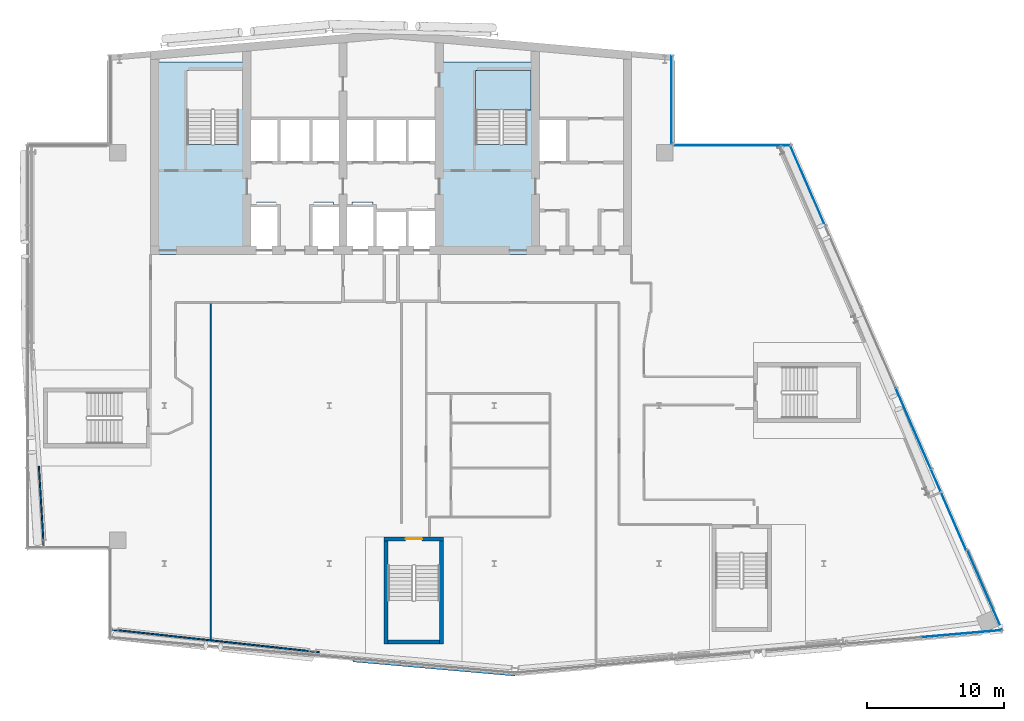
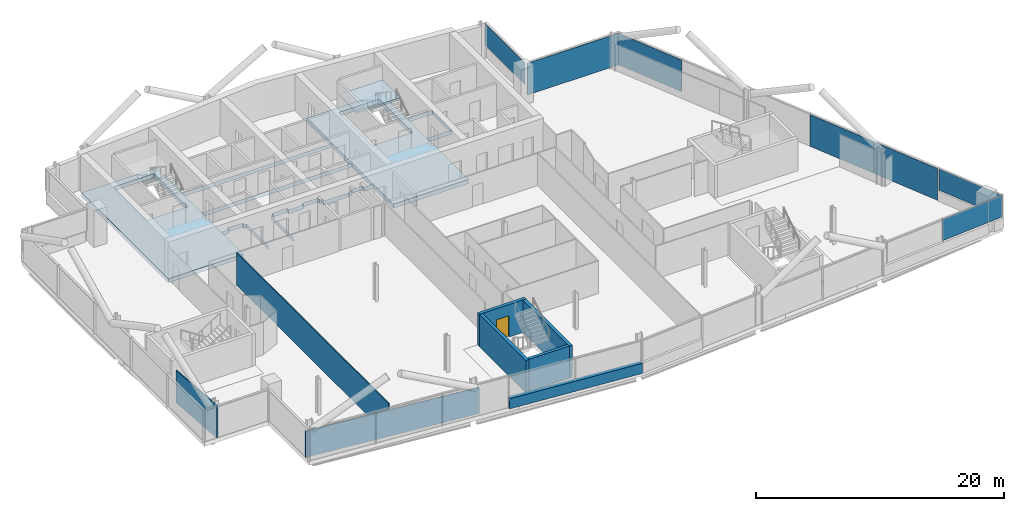
# One storey, part 14 of 25: 8 walls, 7 plates, 2 slabs, 1 door, 1 opening, 5 elements without a shape of their own.
"""IFC4 building model written with IfcOpenShell, lengths in metres."""

from ifc_helpers import new_model, si_unit, direction, frame, frame_2d, origin, origin_2d, place, context, subcontext, project, spatial, polyline, rectangle, outline, extrude, material, layer, layer_set, type_object, element, fill, aggregate, save


model = new_model("IFC4")

# Units and contexts
model_context = context("Model", 3, precision=1e-05, world=origin(), true_north=direction((0.0, 1.0)))
body_context = subcontext(model_context, "Body", "Model", "MODEL_VIEW")
ifc_project = project(units=[si_unit("LENGTHUNIT", "METRE"), si_unit("AREAUNIT", "SQUARE_METRE"), si_unit("VOLUMEUNIT", "CUBIC_METRE"), si_unit("PLANEANGLEUNIT", "RADIAN"), si_unit("MASSUNIT", "GRAM", prefix="KILO")], contexts=[model_context])

# Site, building, storey
site_placement = place(None, origin())
site = spatial("IfcSite", under=ifc_project, at=site_placement, CompositionType="ELEMENT")
building_placement = place(site_placement, origin())
building = spatial("IfcBuilding", under=site, at=building_placement, Name="Wharfspan Tower", CompositionType="ELEMENT")
storey_placement = place(building_placement, frame((0.0, 0.0, 232.300049)))
storey = spatial("IfcBuildingStorey", under=building, at=storey_placement, Name="L58", CompositionType="ELEMENT", Elevation=232.300049)

# Curtain wall, plate
ifc_material_1 = material(Name="Aluminium 6063-T6", Category="aluminium")
curtain_wall_type_1 = type_object("IfcCurtainWallType", Name="CURTAIN WALL FACETED FRONT", PredefinedType="NOTDEFINED", material=ifc_material_1)
curtain_wall_1_placement = place(storey_placement, origin())
curtain_wall_1 = element("IfcCurtainWall", 1, at=curtain_wall_1_placement, inside=storey, type_object=curtain_wall_type_1, Name="Curtain wall S2", PredefinedType="NOTDEFINED")
ifc_material_2 = material(Name="Glass clear low-iron double glazing", Category="glass")
ifc_layer_1 = layer(ifc_material_2, 0.040039)
ifc_layer_set_1 = layer_set([ifc_layer_1], Name="Glass clear low-iron double glazing")
plate_type_1 = type_object("IfcPlateType", Name="GLASS PANEL FACETED FRONT 40", PredefinedType="CURTAIN_PANEL", material=ifc_layer_set_1)
plate_1_placement = place(storey_placement, frame((82.021484, 6.399658, 1.0), z_axis=(0.0, 0.0, 1.0), x_axis=(0.996197, 0.087156, 0.0)))
plate_1 = element("IfcPlate", 2, at=plate_1_placement, type_object=plate_type_1, Name="Curtain wall S2 panel 6", PredefinedType="CURTAIN_PANEL", context=body_context, shape_type="SweptSolid", body=[
    extrude(rectangle(XDim=5.849365, YDim=0.040039, at=origin_2d()), origin(), (0.0, 0.0, 1.0), 2.120117),
])
aggregate(curtain_wall_1, [plate_1])

curtain_wall_type_2 = type_object("IfcCurtainWallType", Name="CURTAIN WALL PROW AND END", PredefinedType="NOTDEFINED", material=ifc_material_1)
curtain_wall_2_placement = place(storey_placement, origin())
curtain_wall_2 = element("IfcCurtainWall", 3, at=curtain_wall_2_placement, inside=storey, type_object=curtain_wall_type_2, Name="Curtain wall E", PredefinedType="NOTDEFINED")
ifc_layer_2 = layer(ifc_material_2, 0.040039)
ifc_layer_set_2 = layer_set([ifc_layer_2], Name="Glass clear low-iron double glazing")
plate_type_2 = type_object("IfcPlateType", Name="GLASS PANEL PROW AND END 40", PredefinedType="CURTAIN_PANEL", material=ifc_layer_set_2)
plate_2_placement = place(storey_placement, frame((83.711426, 9.563721, 1.0), z_axis=(0.0, 0.0, 1.0), x_axis=(-0.398727, 0.917072, 0.0)))
plate_2 = element("IfcPlate", 4, at=plate_2_placement, type_object=plate_type_2, Name="Curtain wall E panel 1", PredefinedType="CURTAIN_PANEL", context=body_context, shape_type="SweptSolid", body=[
    extrude(rectangle(XDim=6.343506, YDim=0.040039, at=origin_2d()), origin(), (0.0, 0.0, 1.0), 2.120117),
])

curtain_wall_3_placement = place(storey_placement, origin())
curtain_wall_3 = element("IfcCurtainWall", 5, at=curtain_wall_3_placement, inside=storey, type_object=curtain_wall_type_2, Name="Curtain wall NRE-V", PredefinedType="NOTDEFINED")
plate_3_placement = place(storey_placement, frame((60.919922, 45.262451, 1.0), z_axis=(0.0, 0.0, 1.0), x_axis=(0.0, 1.0, 0.0)))
plate_3 = element("IfcPlate", 6, at=plate_3_placement, type_object=plate_type_2, Name="Curtain wall NRE-V panel 1", PredefinedType="CURTAIN_PANEL", context=body_context, shape_type="SweptSolid", body=[
    extrude(rectangle(XDim=6.405029, YDim=0.040039, at=origin_2d()), origin(), (0.0, 0.0, 1.0), 2.120117),
])
aggregate(curtain_wall_3, [plate_3])

# Plate
ifc_material_3 = material(Name="Aluminium composite opaque insulated panel", Category="aluminium")
ifc_layer_3 = layer(ifc_material_3, 0.040039)
ifc_layer_set_3 = layer_set([ifc_layer_3], Name="Aluminium composite opaque insulated panel")
plate_type_3 = type_object("IfcPlateType", Name="INFILL PANEL PROW AND END OPAQUE 40", PredefinedType="SHEET", material=ifc_layer_set_3)
plate_4_placement = place(storey_placement, frame((81.078857, 15.418213, 0.0), z_axis=(0.0, 0.0, 1.0), x_axis=(-0.398727, 0.917072, 0.0)))
plate_4 = element("IfcPlate", 7, at=plate_4_placement, type_object=plate_type_3, Name="Curtain wall E panel 2", PredefinedType="SHEET", context=body_context, shape_type="SweptSolid", body=[
    extrude(rectangle(XDim=6.373535, YDim=0.040039, at=origin_2d()), origin(), (0.0, 0.0, 1.0), 3.120117),
])

plate_5_placement = place(storey_placement, frame((78.513672, 21.318115, 0.0), z_axis=(0.0, 0.0, 1.0), x_axis=(-0.398727, 0.917072, 0.0)))
plate_5 = element("IfcPlate", 8, at=plate_5_placement, type_object=plate_type_3, Name="Curtain wall E panel 3", PredefinedType="SHEET", context=body_context, shape_type="SweptSolid", body=[
    extrude(rectangle(XDim=6.373535, YDim=0.040039, at=origin_2d()), origin(), (0.0, 0.0, 1.0), 3.120117),
])

plate_6_placement = place(storey_placement, frame((70.823975, 39.004395, 0.0), z_axis=(0.0, 0.0, 1.0), x_axis=(-0.398727, 0.917072, 0.0)))
plate_6 = element("IfcPlate", 9, at=plate_6_placement, type_object=plate_type_3, Name="Curtain wall E panel 6", PredefinedType="SHEET", context=body_context, shape_type="SweptSolid", body=[
    extrude(rectangle(XDim=6.343506, YDim=0.040039, at=origin_2d()), origin(), (0.0, 0.0, 1.0), 3.120117),
])

aggregate(curtain_wall_2, [plate_2, plate_4, plate_5, plate_6])

# Curtain wall, plate
curtain_wall_4_placement = place(storey_placement, origin())
curtain_wall_4 = element("IfcCurtainWall", 10, at=curtain_wall_4_placement, inside=storey, type_object=curtain_wall_type_2, Name="Curtain wall NRE-H", PredefinedType="NOTDEFINED")
plate_7_placement = place(storey_placement, frame((65.304443, 41.919922, 0.0), z_axis=(0.0, 0.0, 1.0), x_axis=(-1.0, 0.0, 0.0)))
plate_7 = element("IfcPlate", 11, at=plate_7_placement, type_object=plate_type_3, Name="Curtain wall NRE-H panel 1", PredefinedType="SHEET", context=body_context, shape_type="SweptSolid", body=[
    extrude(rectangle(XDim=8.48877, YDim=0.040039, at=origin_2d()), origin(), (0.0, 0.0, 1.0), 3.120117),
])
aggregate(curtain_wall_4, [plate_7])

# Slab
ifc_material_4 = material(Name="Concrete C40/50", Category="concrete")
ifc_layer_4 = layer(ifc_material_4, 0.399902)
ifc_layer_set_4 = layer_set([ifc_layer_4], Name="Concrete C40/50")
slab_type_1 = type_object("IfcSlabType", Name="Post-tensioned flat slab 400", PredefinedType="FLOOR", material=ifc_layer_set_4)
slab_1_placement = place(storey_placement, frame((0.0, 0.0, -0.400146)))
element("IfcSlab", 12, at=slab_1_placement, inside=storey, type_object=slab_type_1, Name="Core floor slab L58 part 2", PredefinedType="FLOOR", context=body_context, shape_type="SweptSolid", body=[
    extrude(outline(polyline([(23.0, 34.0), (29.998047, 34.0), (29.998047, 37.550049), (29.998047, 37.550293), (29.998047, 37.550293), (29.998047, 37.550537), (29.998291, 37.550781), (29.998291, 37.550781), (29.998291, 37.551025), (29.998535, 37.55127), (29.998535, 37.551514), (29.998779, 37.551514), (29.998779, 37.551758), (29.999023, 37.551758), (29.999268, 37.551758), (29.999512, 37.552002), (29.999512, 37.552002), (29.999756, 37.552002), (30.0, 37.552002), (30.7146, 37.552002), (30.7146, 37.800049), (30.7146, 37.800293), (30.7146, 37.800293), (30.714844, 37.800537), (30.714844, 37.800781), (30.714844, 37.800781), (30.715088, 37.801025), (30.715088, 37.80127), (30.715332, 37.801514), (30.715332, 37.801514), (30.715576, 37.801758), (30.71582, 37.801758), (30.71582, 37.801758), (30.716064, 37.802002), (30.716309, 37.802002), (30.716553, 37.802002), (30.716797, 37.802002), (32.116699, 37.802002), (32.116943, 37.802002), (32.117188, 37.802002), (32.117188, 37.802002), (32.117432, 37.801758), (32.117676, 37.801758), (32.11792, 37.801758), (32.11792, 37.801514), (32.118164, 37.801514), (32.118164, 37.80127), (32.118408, 37.801025), (32.118408, 37.800781), (32.118408, 37.800781), (32.118652, 37.800537), (32.118652, 37.800293), (32.118652, 37.800293), (32.118652, 37.800049), (32.118652, 37.552002), (32.333252, 37.552002), (32.333496, 37.552002), (32.33374, 37.552002), (32.333984, 37.552002), (32.333984, 37.551758), (32.334229, 37.551758), (32.334473, 37.551758), (32.334717, 37.551514), (32.334717, 37.551514), (32.334961, 37.55127), (32.334961, 37.551025), (32.335205, 37.550781), (32.335205, 37.550781), (32.335205, 37.550537), (32.335205, 37.550293), (32.335205, 37.550293), (32.335205, 37.550049), (32.335205, 34.0), (32.341309, 34.0), (32.341309, 37.558105), (32.126709, 37.558105), (32.126465, 37.558105), (32.126221, 37.558105), (32.126221, 37.558105), (32.125977, 37.558105), (32.125732, 37.558105), (32.125488, 37.55835), (32.125488, 37.558594), (32.125244, 37.558594), (32.125244, 37.558594), (32.125, 37.558838), (32.125, 37.559082), (32.125, 37.559082), (32.124756, 37.559326), (32.124756, 37.55957), (32.124756, 37.559814), (32.124756, 37.560059), (32.124756, 37.808105), (30.70874, 37.808105), (30.70874, 37.560059), (30.70874, 37.559814), (30.70874, 37.55957), (30.708496, 37.559326), (30.708496, 37.559082), (30.708496, 37.559082), (30.708496, 37.558838), (30.708252, 37.558594), (30.708008, 37.558594), (30.708008, 37.558594), (30.707764, 37.55835), (30.70752, 37.558105), (30.70752, 37.558105), (30.707275, 37.558105), (30.707031, 37.558105), (30.706787, 37.558105), (30.706787, 37.558105), (30.01001, 37.558105), (30.009766, 37.558105), (30.009521, 37.558105), (30.009521, 37.558105), (30.009277, 37.558105), (30.009033, 37.558105), (30.008789, 37.55835), (30.008789, 37.558594), (30.008545, 37.558594), (30.008545, 37.558594), (30.008301, 37.558838), (30.008301, 37.559082), (30.008301, 37.559082), (30.008057, 37.559326), (30.008057, 37.55957), (30.008057, 37.559814), (30.008057, 37.560059), (30.008057, 40.689941), (30.008057, 40.690186), (30.008057, 40.69043), (30.008057, 40.690674), (30.008301, 40.690918), (30.008301, 40.690918), (30.008301, 40.691162), (30.008545, 40.691406), (30.008545, 40.691406), (30.008789, 40.691406), (30.008789, 40.69165), (30.009033, 40.691895), (30.009277, 40.691895), (30.009521, 40.691895), (30.009521, 40.691895), (30.009766, 40.691895), (30.01001, 40.691895), (43.98999, 40.691895), (43.990234, 40.691895), (43.990479, 40.691895), (43.990479, 40.691895), (43.990723, 40.691895), (43.990967, 40.691895), (43.991211, 40.69165), (43.991211, 40.691406), (43.991455, 40.691406), (43.991455, 40.691406), (43.991699, 40.691162), (43.991699, 40.690918), (43.991699, 40.690918), (43.991943, 40.690674), (43.991943, 40.69043), (43.991943, 40.690186), (43.991943, 40.689941), (43.991943, 37.26001), (43.991943, 37.259766), (43.991943, 37.259521), (43.991943, 37.259521), (43.991699, 37.259277), (43.991699, 37.259033), (43.991699, 37.258789), (43.991455, 37.258789), (43.991455, 37.258545), (43.991211, 37.258545), (43.991211, 37.258301), (43.990967, 37.258301), (43.990723, 37.258301), (43.990479, 37.258057), (43.990479, 37.258057), (43.990234, 37.258057), (43.98999, 37.258057), (43.143311, 37.258057), (43.143066, 37.258057), (43.142822, 37.258057), (43.142578, 37.258057), (43.142578, 37.258301), (43.142334, 37.258301), (43.14209, 37.258301), (43.14209, 37.258545), (43.141846, 37.258545), (43.141846, 37.258789), (43.141602, 37.258789), (43.141602, 37.259033), (43.141602, 37.259277), (43.141357, 37.259521), (43.141357, 37.259521), (43.141357, 37.259766), (43.141357, 37.26001), (43.141357, 37.508057), (42.025391, 37.508057), (42.025391, 37.26001), (42.025391, 37.259766), (42.025391, 37.259521), (42.025146, 37.259521), (42.025146, 37.259277), (42.025146, 37.259033), (42.024902, 37.258789), (42.024902, 37.258789), (42.024658, 37.258545), (42.024658, 37.258545), (42.024414, 37.258301), (42.02417, 37.258301), (42.02417, 37.258301), (42.023926, 37.258057), (42.023682, 37.258057), (42.023438, 37.258057), (42.023193, 37.258057), (41.658691, 37.258057), (41.658691, 37.209961), (41.658691, 37.209717), (41.658691, 37.209717), (41.658691, 37.209473), (41.658447, 37.209229), (41.658447, 37.208984), (41.658447, 37.208984), (41.658203, 37.20874), (41.658203, 37.208496), (41.657959, 37.208496), (41.657715, 37.208252), (41.657715, 37.208252), (41.657471, 37.208252), (41.657227, 37.208008), (41.656982, 37.208008), (41.656982, 37.208008), (41.656738, 37.208008), (39.343262, 37.208008), (39.343018, 37.208008), (39.343018, 37.208008), (39.342773, 37.208008), (39.342529, 37.208252), (39.342285, 37.208252), (39.342285, 37.208252), (39.342041, 37.208496), (39.341797, 37.208496), (39.341797, 37.20874), (39.341553, 37.208984), (39.341553, 37.208984), (39.341553, 37.209229), (39.341309, 37.209473), (39.341309, 37.209717), (39.341309, 37.209717), (39.341309, 37.209961), (39.341309, 37.558105), (39.166748, 37.558105), (39.166504, 37.558105), (39.16626, 37.558105), (39.166016, 37.558105), (39.166016, 37.558105), (39.165771, 37.558105), (39.165527, 37.55835), (39.165283, 37.558594), (39.165283, 37.558594), (39.165283, 37.558594), (39.165039, 37.558838), (39.164795, 37.559082), (39.164795, 37.559082), (39.164795, 37.559326), (39.164795, 37.55957), (39.164795, 37.559814), (39.164795, 37.560059), (39.164795, 37.808105), (37.668701, 37.808105), (37.668701, 37.560059), (37.668701, 37.559814), (37.668701, 37.55957), (37.668701, 37.559326), (37.668457, 37.559082), (37.668457, 37.559082), (37.668457, 37.558838), (37.668213, 37.558594), (37.668213, 37.558594), (37.667969, 37.558594), (37.667725, 37.55835), (37.66748, 37.558105), (37.66748, 37.558105), (37.667236, 37.558105), (37.666992, 37.558105), (37.666992, 37.558105), (37.666748, 37.558105), (36.293213, 37.558105), (36.293213, 37.558105), (36.292969, 37.558105), (36.292725, 37.558105), (36.29248, 37.558105), (36.29248, 37.558105), (36.292236, 37.55835), (36.291992, 37.558594), (36.291992, 37.558594), (36.291748, 37.558594), (36.291504, 37.558838), (36.291504, 37.559082), (36.291504, 37.559082), (36.291504, 37.559326), (36.29126, 37.55957), (36.29126, 37.559814), (36.29126, 37.560059), (36.29126, 37.808105), (34.875244, 37.808105), (34.875244, 37.560059), (34.875244, 37.559814), (34.875244, 37.55957), (34.875244, 37.559326), (34.875, 37.559082), (34.875, 37.559082), (34.875, 37.558838), (34.874756, 37.558594), (34.874756, 37.558594), (34.874512, 37.558594), (34.874512, 37.55835), (34.874268, 37.558105), (34.874023, 37.558105), (34.873779, 37.558105), (34.873779, 37.558105), (34.873535, 37.558105), (34.873291, 37.558105), (34.658691, 37.558105), (34.658691, 34.0), (34.664795, 34.0), (34.664795, 37.550049), (34.664795, 37.550293), (34.664795, 37.550293), (34.664795, 37.550537), (34.664795, 37.550781), (34.664795, 37.550781), (34.665039, 37.551025), (34.665039, 37.55127), (34.665283, 37.551514), (34.665283, 37.551514), (34.665527, 37.551758), (34.665771, 37.551758), (34.666016, 37.551758), (34.666016, 37.552002), (34.66626, 37.552002), (34.666504, 37.552002), (34.666748, 37.552002), (34.881348, 37.552002), (34.881348, 37.800049), (34.881348, 37.800293), (34.881348, 37.800293), (34.881348, 37.800537), (34.881592, 37.800781), (34.881592, 37.800781), (34.881592, 37.801025), (34.881836, 37.80127), (34.881836, 37.801514), (34.88208, 37.801514), (34.88208, 37.801758), (34.882324, 37.801758), (34.882568, 37.801758), (34.882812, 37.802002), (34.882812, 37.802002), (34.883057, 37.802002), (34.883301, 37.802002), (36.283203, 37.802002), (36.283447, 37.802002), (36.283691, 37.802002), (36.283936, 37.802002), (36.28418, 37.801758), (36.28418, 37.801758), (36.284424, 37.801758), (36.284668, 37.801514), (36.284668, 37.801514), (36.284912, 37.80127), (36.284912, 37.801025), (36.285156, 37.800781), (36.285156, 37.800781), (36.285156, 37.800537), (36.2854, 37.800293), (36.2854, 37.800293), (36.2854, 37.800049), (36.2854, 37.552002), (37.674805, 37.552002), (37.674805, 37.800049), (37.674805, 37.800293), (37.674805, 37.800293), (37.674805, 37.800537), (37.674805, 37.800781), (37.674805, 37.800781), (37.675049, 37.801025), (37.675049, 37.80127), (37.675293, 37.801514), (37.675293, 37.801514), (37.675537, 37.801758), (37.675781, 37.801758), (37.675781, 37.801758), (37.676025, 37.802002), (37.67627, 37.802002), (37.676514, 37.802002), (37.676758, 37.802002), (39.156738, 37.802002), (39.156982, 37.802002), (39.156982, 37.802002), (39.157227, 37.802002), (39.157471, 37.801758), (39.157715, 37.801758), (39.157715, 37.801758), (39.157959, 37.801514), (39.158203, 37.801514), (39.158203, 37.80127), (39.158203, 37.801025), (39.158447, 37.800781), (39.158447, 37.800781), (39.158691, 37.800537), (39.158691, 37.800293), (39.158691, 37.800293), (39.158691, 37.800049), (39.158691, 37.552002), (39.333252, 37.552002), (39.333496, 37.552002), (39.33374, 37.552002), (39.333984, 37.552002), (39.333984, 37.551758), (39.334229, 37.551758), (39.334473, 37.551758), (39.334717, 37.551514), (39.334717, 37.551514), (39.334961, 37.55127), (39.334961, 37.551025), (39.335205, 37.550781), (39.335205, 37.550781), (39.335205, 37.550537), (39.335205, 37.550293), (39.335205, 37.550293), (39.335205, 37.550049), (39.335205, 37.201904), (41.664795, 37.201904), (41.664795, 37.25), (41.664795, 37.250244), (41.664795, 37.250488), (41.664795, 37.250488), (41.664795, 37.250732), (41.664795, 37.250977), (41.665039, 37.251221), (41.665039, 37.251221), (41.665283, 37.251465), (41.665283, 37.251465), (41.665527, 37.251709), (41.665771, 37.251709), (41.666016, 37.251709), (41.666016, 37.251953), (41.66626, 37.251953), (41.666504, 37.251953), (41.666748, 37.251953), (42.03125, 37.251953), (42.03125, 37.5), (42.03125, 37.500244), (42.031494, 37.500488), (42.031494, 37.500488), (42.031494, 37.500732), (42.031494, 37.500977), (42.031738, 37.501221), (42.031738, 37.501221), (42.031982, 37.501465), (42.031982, 37.501465), (42.032227, 37.501709), (42.032471, 37.501709), (42.032715, 37.501709), (42.032715, 37.501953), (42.032959, 37.501953), (42.033203, 37.501953), (42.033203, 37.501953), (43.133301, 37.501953), (43.133545, 37.501953), (43.133789, 37.501953), (43.133789, 37.501953), (43.134033, 37.501709), (43.134277, 37.501709), (43.134521, 37.501709), (43.134521, 37.501465), (43.134766, 37.501465), (43.13501, 37.501221), (43.13501, 37.501221), (43.13501, 37.500977), (43.135254, 37.500732), (43.135254, 37.500488), (43.135254, 37.500488), (43.135254, 37.500244), (43.135254, 37.5), (43.135254, 37.251953), (44.0, 37.251953), (44.000244, 37.251953), (44.000488, 37.251953), (44.000488, 37.251953), (44.000732, 37.251709), (44.000977, 37.251709), (44.001221, 37.251709), (44.001221, 37.251465), (44.001465, 37.251465), (44.001465, 37.251221), (44.001709, 37.251221), (44.001709, 37.250977), (44.001709, 37.250732), (44.001953, 37.250488), (44.001953, 37.250488), (44.001953, 37.250244), (44.001953, 37.25), (44.001953, 34.0), (51.0, 34.0), (51.008057, 34.0), (51.008057, 40.689941), (51.008057, 40.690186), (51.008057, 40.69043), (51.008057, 40.690674), (51.008301, 40.690918), (51.008301, 40.690918), (51.008301, 40.691162), (51.008545, 40.691406), (51.008545, 40.691406), (51.008789, 40.691406), (51.008789, 40.69165), (51.009033, 40.691895), (51.009277, 40.691895), (51.009521, 40.691895), (51.009521, 40.691895), (51.009766, 40.691895), (51.01001, 40.691895), (53.341309, 40.691895), (53.341309, 43.907959), (51.01001, 43.907959), (51.009766, 43.907959), (51.009521, 43.907959), (51.009521, 43.908203), (51.009277, 43.908203), (51.009033, 43.908203), (51.008789, 43.908203), (51.008789, 43.908447), (51.008545, 43.908691), (51.008545, 43.908691), (51.008301, 43.908936), (51.008301, 43.90918), (51.008301, 43.90918), (51.008057, 43.909424), (51.008057, 43.909668), (51.008057, 43.909912), (51.008057, 43.909912), (51.008057, 48.008057), (43.991943, 48.008057), (43.991943, 43.909912), (43.991943, 43.909912), (43.991943, 43.909668), (43.991943, 43.909424), (43.991699, 43.90918), (43.991699, 43.90918), (43.991699, 43.908936), (43.991455, 43.908691), (43.991455, 43.908691), (43.991211, 43.908447), (43.991211, 43.908203), (43.990967, 43.908203), (43.990723, 43.908203), (43.990479, 43.908203), (43.990479, 43.907959), (43.990234, 43.907959), (43.98999, 43.907959), (30.01001, 43.907959), (30.009766, 43.907959), (30.009521, 43.907959), (30.009521, 43.908203), (30.009277, 43.908203), (30.009033, 43.908203), (30.008789, 43.908203), (30.008789, 43.908447), (30.008545, 43.908691), (30.008545, 43.908691), (30.008301, 43.908936), (30.008301, 43.90918), (30.008301, 43.90918), (30.008057, 43.909424), (30.008057, 43.909668), (30.008057, 43.909912), (30.008057, 43.909912), (30.008057, 48.008057), (23.0, 48.008057), (23.0, 48.0), (23.0, 34.0)]), holes=[polyline([(53.333252, 43.9021), (53.333496, 43.9021), (53.33374, 43.9021), (53.333984, 43.901855), (53.333984, 43.901855), (53.334229, 43.901855), (53.334473, 43.901611), (53.334717, 43.901611), (53.334717, 43.901367), (53.334961, 43.901367), (53.334961, 43.901123), (53.335205, 43.900879), (53.335205, 43.900879), (53.335205, 43.900635), (53.335205, 43.900391), (53.335205, 43.900146), (53.335205, 43.899902), (53.335205, 40.699951), (53.335205, 40.699707), (53.335205, 40.699707), (53.335205, 40.699463), (53.335205, 40.699219), (53.335205, 40.699219), (53.334961, 40.698975), (53.334961, 40.69873), (53.334717, 40.698486), (53.334717, 40.698486), (53.334473, 40.698242), (53.334229, 40.698242), (53.333984, 40.698242), (53.333984, 40.697998), (53.33374, 40.697998), (53.333496, 40.697998), (53.333252, 40.697998), (51.0, 40.697998), (50.999756, 40.697998), (50.999512, 40.697998), (50.999512, 40.697998), (50.999268, 40.698242), (50.999023, 40.698242), (50.998779, 40.698242), (50.998779, 40.698486), (50.998535, 40.698486), (50.998535, 40.69873), (50.998291, 40.698975), (50.998291, 40.699219), (50.998291, 40.699219), (50.998047, 40.699463), (50.998047, 40.699707), (50.998047, 40.699707), (50.998047, 40.699951), (50.998047, 43.899902), (50.998047, 43.900146), (50.998047, 43.900391), (50.998047, 43.900635), (50.998291, 43.900879), (50.998291, 43.900879), (50.998291, 43.901123), (50.998535, 43.901367), (50.998535, 43.901367), (50.998779, 43.901611), (50.998779, 43.901611), (50.999023, 43.901855), (50.999268, 43.901855), (50.999512, 43.901855), (50.999512, 43.9021), (50.999756, 43.9021), (51.0, 43.9021), (53.333252, 43.9021)]), polyline([(46.649902, 41.998047), (46.649902, 41.998047), (46.649658, 41.998047), (46.649414, 41.998047), (46.64917, 41.998291), (46.64917, 41.998291), (46.648926, 41.998291), (46.648682, 41.998535), (46.648682, 41.998535), (46.648438, 41.998779), (46.648193, 41.998779), (46.648193, 41.999023), (46.648193, 41.999268), (46.648193, 41.999512), (46.647949, 41.999512), (46.647949, 41.999756), (46.647949, 42.0), (46.647949, 47.399902), (46.647949, 47.400146), (46.647949, 47.400391), (46.648193, 47.400635), (46.648193, 47.400879), (46.648193, 47.400879), (46.648193, 47.401123), (46.648438, 47.401367), (46.648682, 47.401367), (46.648682, 47.401611), (46.648926, 47.401611), (46.64917, 47.401855), (46.64917, 47.401855), (46.649414, 47.401855), (46.649658, 47.4021), (46.649902, 47.4021), (46.649902, 47.4021), (50.399902, 47.4021), (50.400146, 47.4021), (50.400391, 47.4021), (50.400635, 47.401855), (50.400879, 47.401855), (50.400879, 47.401855), (50.401123, 47.401611), (50.401367, 47.401611), (50.401367, 47.401367), (50.401611, 47.401367), (50.401611, 47.401123), (50.401855, 47.400879), (50.401855, 47.400879), (50.401855, 47.400635), (50.4021, 47.400391), (50.4021, 47.400146), (50.4021, 47.399902), (50.4021, 42.0), (50.4021, 41.999756), (50.4021, 41.999512), (50.401855, 41.999512), (50.401855, 41.999268), (50.401855, 41.999023), (50.401611, 41.998779), (50.401611, 41.998779), (50.401367, 41.998535), (50.401367, 41.998535), (50.401123, 41.998291), (50.400879, 41.998291), (50.400879, 41.998291), (50.400635, 41.998047), (50.400391, 41.998047), (50.400146, 41.998047), (50.399902, 41.998047), (46.649902, 41.998047)]), polyline([(44.0, 43.9021), (44.000244, 43.9021), (44.000488, 43.9021), (44.000488, 43.901855), (44.000732, 43.901855), (44.000977, 43.901855), (44.001221, 43.901611), (44.001221, 43.901611), (44.001465, 43.901367), (44.001465, 43.901367), (44.001709, 43.901123), (44.001709, 43.900879), (44.001709, 43.900879), (44.001953, 43.900635), (44.001953, 43.900391), (44.001953, 43.900146), (44.001953, 43.899902), (44.001953, 40.699951), (44.001953, 40.699707), (44.001953, 40.699707), (44.001953, 40.699463), (44.001709, 40.699219), (44.001709, 40.699219), (44.001709, 40.698975), (44.001465, 40.69873), (44.001465, 40.698486), (44.001221, 40.698486), (44.001221, 40.698242), (44.000977, 40.698242), (44.000732, 40.698242), (44.000488, 40.697998), (44.000488, 40.697998), (44.000244, 40.697998), (44.0, 40.697998), (30.0, 40.697998), (29.999756, 40.697998), (29.999512, 40.697998), (29.999512, 40.697998), (29.999268, 40.698242), (29.999023, 40.698242), (29.998779, 40.698242), (29.998779, 40.698486), (29.998535, 40.698486), (29.998535, 40.69873), (29.998291, 40.698975), (29.998291, 40.699219), (29.998291, 40.699219), (29.998047, 40.699463), (29.998047, 40.699707), (29.998047, 40.699707), (29.998047, 40.699951), (29.998047, 43.899902), (29.998047, 43.900146), (29.998047, 43.900391), (29.998047, 43.900635), (29.998291, 43.900879), (29.998291, 43.900879), (29.998291, 43.901123), (29.998535, 43.901367), (29.998535, 43.901367), (29.998779, 43.901611), (29.998779, 43.901611), (29.999023, 43.901855), (29.999268, 43.901855), (29.999512, 43.901855), (29.999512, 43.9021), (29.999756, 43.9021), (30.0, 43.9021), (44.0, 43.9021)]), polyline([(29.4021, 42.0), (29.4021, 41.999756), (29.4021, 41.999512), (29.401855, 41.999512), (29.401855, 41.999268), (29.401855, 41.999023), (29.401611, 41.998779), (29.401611, 41.998779), (29.401367, 41.998535), (29.401367, 41.998535), (29.401123, 41.998291), (29.400879, 41.998291), (29.400879, 41.998291), (29.400635, 41.998047), (29.400391, 41.998047), (29.400146, 41.998047), (29.399902, 41.998047), (25.649902, 41.998047), (25.649902, 41.998047), (25.649658, 41.998047), (25.649414, 41.998047), (25.64917, 41.998291), (25.64917, 41.998291), (25.648926, 41.998291), (25.648682, 41.998535), (25.648682, 41.998535), (25.648438, 41.998779), (25.648193, 41.998779), (25.648193, 41.999023), (25.648193, 41.999268), (25.648193, 41.999512), (25.647949, 41.999512), (25.647949, 41.999756), (25.647949, 42.0), (25.647949, 47.399902), (25.647949, 47.400146), (25.647949, 47.400391), (25.648193, 47.400635), (25.648193, 47.400879), (25.648193, 47.400879), (25.648193, 47.401123), (25.648438, 47.401367), (25.648682, 47.401367), (25.648682, 47.401611), (25.648926, 47.401611), (25.64917, 47.401855), (25.64917, 47.401855), (25.649414, 47.401855), (25.649658, 47.4021), (25.649902, 47.4021), (25.649902, 47.4021), (29.399902, 47.4021), (29.400146, 47.4021), (29.400391, 47.4021), (29.400635, 47.401855), (29.400879, 47.401855), (29.400879, 47.401855), (29.401123, 47.401611), (29.401367, 47.401611), (29.401367, 47.401367), (29.401611, 47.401367), (29.401611, 47.401123), (29.401855, 47.400879), (29.401855, 47.400879), (29.401855, 47.400635), (29.4021, 47.400391), (29.4021, 47.400146), (29.4021, 47.399902), (29.4021, 42.0)])]), origin(), (0.0, 0.0, 1.0), 0.400146),
])

# Stair, slab
stair_type = type_object("IfcStairType", Name="Half-turn stair 20 risers 180 mm", PredefinedType="HALF_TURN_STAIR", material=ifc_material_4)
stair_placement = place(storey_placement, origin())
stair = element("IfcStair", 13, at=stair_placement, inside=storey, type_object=stair_type, Name="L58 stair ST2", PredefinedType="HALF_TURN_STAIR")
ifc_layer_5 = layer(ifc_material_4, 0.199951)
ifc_layer_set_5 = layer_set([ifc_layer_5], Name="Concrete C40/50")
slab_type_2 = type_object("IfcSlabType", Name="Stair landing 200", PredefinedType="LANDING", material=ifc_layer_set_5)
slab_2_placement = place(storey_placement, frame((0.0, 0.0, 1.599854)))
slab_2 = element("IfcSlab", 14, at=slab_2_placement, type_object=slab_type_2, Name="ST2 landing 1", PredefinedType="LANDING", context=body_context, shape_type="SweptSolid", body=[
    extrude(outline(polyline([(46.649902, 44.52002), (50.699951, 44.52002), (50.699951, 47.399902), (46.649902, 47.399902), (46.649902, 44.52002)])), origin(), (0.0, 0.0, 1.0), 0.200195),
])
aggregate(stair, [slab_2])

# Walls
ifc_material_5 = material(Name="Gypsum board on steel studs", Category="steel")
ifc_layer_6 = layer(ifc_material_5, 0.100098)
ifc_layer_set_6 = layer_set([ifc_layer_6], Name="Gypsum board on steel studs")
wall_type_1 = type_object("IfcWallType", Name="Compartment wall 100 EI 60", PredefinedType="PARTITIONING", material=ifc_layer_set_6)
wall_1_placement = place(storey_placement, frame((27.375, 5.915039, 0.0), z_axis=(0.0, 0.0, 1.0), x_axis=(0.0, 1.0, 0.0)))
element("IfcWall", 15, at=wall_1_placement, inside=storey, type_object=wall_type_1, Name="Partition L58.w011", PredefinedType="PARTITIONING", context=body_context, shape_type="SweptSolid", body=[
    extrude(rectangle(XDim=24.584961, YDim=0.100098, at=frame_2d((12.29248, 0.0))), origin(), (0.0, 0.0, 1.0), 3.199951),
])
ifc_layer_7 = layer(ifc_material_5, 0.100098)
ifc_layer_set_7 = layer_set([ifc_layer_7], Name="Gypsum board on steel studs")
wall_type_2 = type_object("IfcWallType", Name="Partition 100", PredefinedType="PARTITIONING", material=ifc_layer_set_7)
wall_2_placement = place(storey_placement, frame((15.223877, 12.620117, 0.0), z_axis=(0.0, 0.0, 1.0), x_axis=(-0.060759, 0.998149, 0.0)))
element("IfcWall", 16, at=wall_2_placement, inside=storey, type_object=wall_type_2, Name="Partition L58.w003", PredefinedType="PARTITIONING", context=body_context, shape_type="SweptSolid", body=[
    extrude(rectangle(XDim=5.970947, YDim=0.100098, at=frame_2d((2.985352, 0.0))), origin(), (0.0, 0.0, 1.0), 3.199951),
])
wall_3_placement = place(storey_placement, frame((35.274902, 5.054932, 0.0), z_axis=(0.0, 0.0, 1.0), x_axis=(-0.994128, 0.108228, 0.0)))
element("IfcWall", 17, at=wall_3_placement, inside=storey, type_object=wall_type_2, Name="Partition L58.w012", PredefinedType="PARTITIONING", context=body_context, shape_type="SweptSolid", body=[
    extrude(rectangle(XDim=15.334961, YDim=0.100098, at=frame_2d((7.66748, 0.0))), origin(), (0.0, 0.0, 1.0), 2.579834),
])
ifc_layer_8 = layer(ifc_material_4, 0.350098)
ifc_layer_set_8 = layer_set([ifc_layer_8], Name="Concrete C40/50")
wall_type_3 = type_object("IfcWallType", Name="SPANDREL EXPOSED CONCRETE 350", PredefinedType="SOLIDWALL", material=ifc_layer_set_8)
wall_4_placement = place(storey_placement, frame((37.729492, 4.519043, 0.0), z_axis=(0.0, 0.0, 1.0), x_axis=(0.99619, -0.087167, 0.0)))
element("IfcWall", 18, at=wall_4_placement, inside=storey, type_object=wall_type_3, Name="Spandrel upstand L58 S1", PredefinedType="SOLIDWALL", context=body_context, shape_type="SweptSolid", body=[
    extrude(rectangle(XDim=11.830566, YDim=0.350098, at=frame_2d((5.915283, 0.0))), origin(), (0.0, 0.0, 1.0), 1.0),
])

# Wall, opening, door
ifc_layer_9 = layer(ifc_material_4, 0.300049)
ifc_layer_set_9 = layer_set([ifc_layer_9], Name="Concrete C40/50")
wall_type_4 = type_object("IfcWallType", Name="Stair core wall 300", PredefinedType="SHEAR", material=ifc_layer_set_9)
wall_5_placement = place(storey_placement, frame((39.977051, 13.293213, 0.0), z_axis=(0.0, 0.0, 1.0), x_axis=(1.0, 0.0, 0.0)))
wall_5 = element("IfcWall", 19, at=wall_5_placement, inside=storey, type_object=wall_type_4, Name="ST4 stair enclosure wall L58", PredefinedType="SHEAR", context=body_context, shape_type="SweptSolid", body=[
    extrude(rectangle(XDim=4.350098, YDim=0.300049, at=frame_2d((2.175049, 0.0))), origin(), (0.0, 0.0, 1.0), 3.199951),
])
opening_placement = place(wall_5_placement, frame((1.574951, 0.0, 0.0)))
opening = element("IfcOpeningElement", 20, at=opening_placement, cuts=wall_5, Name="Opening SD4.L58", PredefinedType="OPENING", context=body_context, shape_type="SweptSolid", body=[
    extrude(rectangle(XDim=1.199951, YDim=2.100098, at=frame_2d((0.600098, 1.050049))), frame((0.0, 0.159912, 0.0), z_axis=(0.0, -1.0, 0.0), x_axis=(1.0, 0.0, 0.0)), (0.0, 0.0, 1.0), 0.320068),
])
ifc_material_6 = material(Name="Steel door leaf", Category="steel")
door_type = type_object("IfcDoorType", Name="Stair door 1200x2100", OperationType="SINGLE_SWING_LEFT", PredefinedType="DOOR", material=ifc_material_6)
door_placement = place(opening_placement, origin())
door = element("IfcDoor", 21, at=door_placement, inside=storey, type_object=door_type, Name="sd:L58:ST4z4", OperationType="SINGLE_SWING_RIGHT", OverallHeight=2.100098, OverallWidth=1.199951, PredefinedType="DOOR", context=body_context, shape_type="SweptSolid", body=[
    extrude(rectangle(XDim=1.199951, YDim=2.100098, at=frame_2d((0.600098, 1.050049))), frame((0.0, 0.024902, 0.0), z_axis=(0.0, -1.0, 0.0), x_axis=(1.0, 0.0, 0.0)), (0.0, 0.0, 1.0), 0.050049),
])
fill(opening, door)

# Walls
for number, where, z_axis, x_axis, name in (
    (22, (40.127197, 5.643311, 0.0), (0.0, 0.0, 1.0), (0.0, 1.0, 0.0), "ST4 stair enclosure wall L58"),
    (23, (44.177002, 5.643311, 0.0), (0.0, 0.0, 1.0), (0.0, 1.0, 0.0), "ST4 stair enclosure wall L58"),
):
    element("IfcWall", number, at=place(storey_placement, frame(where, z_axis=z_axis, x_axis=x_axis)), inside=storey, type_object=wall_type_4, Name=name, PredefinedType="SHEAR", context=body_context, shape_type="SweptSolid", body=[
        extrude(rectangle(XDim=7.5, YDim=0.300049, at=frame_2d((3.75, 0.0))), origin(), (0.0, 0.0, 1.0), 3.199951),
    ])
wall_6_placement = place(storey_placement, frame((40.2771, 5.793213, 0.0), z_axis=(0.0, 0.0, 1.0), x_axis=(1.0, 0.0, 0.0)))
element("IfcWall", 24, at=wall_6_placement, inside=storey, type_object=wall_type_4, Name="ST4 stair enclosure wall L58", PredefinedType="SHEAR", context=body_context, shape_type="SweptSolid", body=[
    extrude(rectangle(XDim=3.75, YDim=0.300049, at=frame_2d((1.875, 0.0))), origin(), (0.0, 0.0, 1.0), 3.199951),
])

save(model, "model.ifc")
